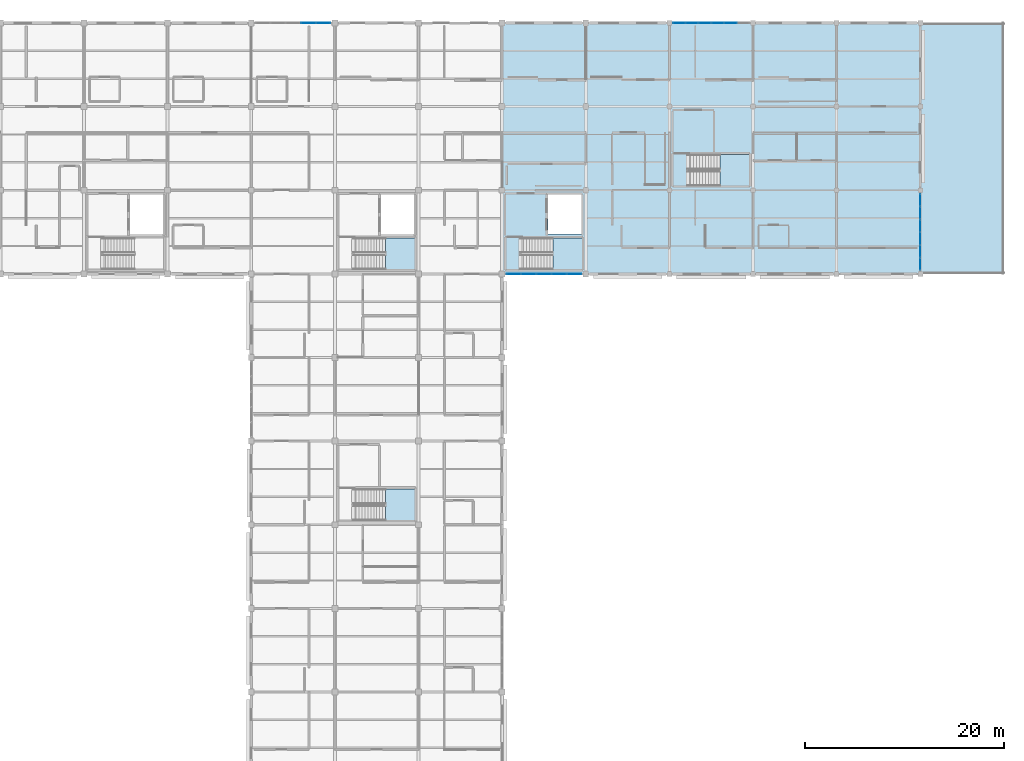
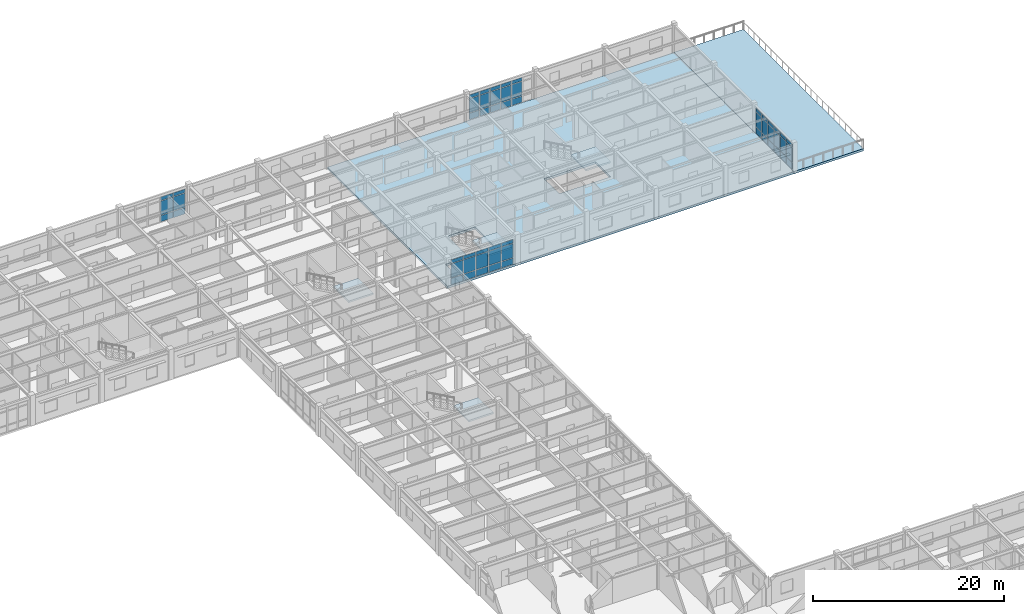
# One storey, part 41 of 70: 54 plates, 6 slabs, 8 elements without a shape of their own.
"""IFC4 building model written with IfcOpenShell, lengths in metres."""

from ifc_helpers import new_model, si_unit, direction, frame, origin, origin_2d, place, context, subcontext, project, spatial, polyline, rectangle, outline, extrude, material, layer, layer_set, type_object, element, aggregate, save


model = new_model("IFC4")

# Units and contexts
model_context = context("Model", 3, precision=1e-05, world=origin(), true_north=direction((0.0, 1.0)))
body_context = subcontext(model_context, "Body", "Model", "MODEL_VIEW")
ifc_project = project(units=[si_unit("LENGTHUNIT", "METRE"), si_unit("AREAUNIT", "SQUARE_METRE"), si_unit("VOLUMEUNIT", "CUBIC_METRE"), si_unit("PLANEANGLEUNIT", "RADIAN"), si_unit("MASSUNIT", "GRAM", prefix="KILO")], contexts=[model_context])

# Site, building, storey
site_placement = place(None, origin())
site = spatial("IfcSite", under=ifc_project, at=site_placement, CompositionType="ELEMENT")
building_placement = place(site_placement, origin())
building = spatial("IfcBuilding", under=site, at=building_placement, Name="Bramfleet General Hospital", CompositionType="ELEMENT")
storey_placement = place(building_placement, frame((0.0, 0.0, 22.5)))
storey = spatial("IfcBuildingStorey", under=building, at=storey_placement, Name="L05", CompositionType="ELEMENT", Elevation=22.5)

# Curtain wall, plates
ifc_material_1 = material(Name="Anodised aluminium and low-E triple glazing", Category="aluminium")
ifc_layer_1 = layer(ifc_material_1, 0.179931640625, Name="CWT-CW-07")
ifc_layer_set_1 = layer_set([ifc_layer_1], Name="Anodised aluminium and low-E triple glazing")
curtain_wall_type_1 = type_object("IfcCurtainWallType", Name="CWT-CW-07", PredefinedType="USERDEFINED", material=ifc_layer_set_1)
curtain_wall_1_placement = place(storey_placement, origin())
curtain_wall_1 = element("IfcCurtainWall", 1, at=curtain_wall_1_placement, inside=storey, type_object=curtain_wall_type_1, Name="L05 Curtain Wall 205", ObjectType="Unitised curtain wall", PredefinedType="USERDEFINED")
ifc_material_2 = material(Name="Low-E laminated safety glass", Category="glass")
ifc_layer_2 = layer(ifc_material_2, 0.028076171875, Name="CWP-GLZ-1")
ifc_layer_set_2 = layer_set([ifc_layer_2], Name="Low-E laminated safety glass")
plate_type_1 = type_object("IfcPlateType", Name="CWP-GLZ-1", PredefinedType="CURTAIN_PANEL", material=ifc_layer_set_2)
plate_1_placement = place(storey_placement, frame((159.60009765625, 99.811767578125, 0.06494140625), z_axis=(0.0, 0.0, 1.0), x_axis=(0.0, -1.0, 0.0)))
plate_1 = element("IfcPlate", 2, at=plate_1_placement, type_object=plate_type_1, Name="CW-07 panel 1.1", PredefinedType="CURTAIN_PANEL", context=body_context, shape_type="SweptSolid", body=[
    extrude(rectangle(XDim=1.186767578125, YDim=0.028076171875, at=origin_2d()), origin(), (0.0, 0.0, 1.0), 0.802490234375),
])
plate_2_placement = place(storey_placement, frame((159.60009765625, 99.811767578125, 0.9326171875), z_axis=(0.0, 0.0, 1.0), x_axis=(0.0, -1.0, 0.0)))
plate_2 = element("IfcPlate", 3, at=plate_2_placement, type_object=plate_type_1, Name="CW-07 panel 1.2", PredefinedType="CURTAIN_PANEL", context=body_context, shape_type="SweptSolid", body=[
    extrude(rectangle(XDim=1.186767578125, YDim=0.028076171875, at=origin_2d()), origin(), (0.0, 0.0, 1.0), 1.85498046875),
])
plate_3_placement = place(storey_placement, frame((159.60009765625, 99.811767578125, 2.8525390625), z_axis=(0.0, 0.0, 1.0), x_axis=(0.0, -1.0, 0.0)))
plate_3 = element("IfcPlate", 4, at=plate_3_placement, type_object=plate_type_1, Name="CW-07 panel 1.3", PredefinedType="CURTAIN_PANEL", context=body_context, shape_type="SweptSolid", body=[
    extrude(rectangle(XDim=1.186767578125, YDim=0.028076171875, at=origin_2d()), origin(), (0.0, 0.0, 1.0), 0.452392578125),
])
plate_4_placement = place(storey_placement, frame((159.60009765625, 98.53759765625, 0.06494140625), z_axis=(0.0, 0.0, 1.0), x_axis=(0.0, -1.0, 0.0)))
plate_4 = element("IfcPlate", 5, at=plate_4_placement, type_object=plate_type_1, Name="CW-07 panel 2.1", PredefinedType="CURTAIN_PANEL", context=body_context, shape_type="SweptSolid", body=[
    extrude(rectangle(XDim=1.2216796875, YDim=0.028076171875, at=origin_2d()), origin(), (0.0, 0.0, 1.0), 0.802490234375),
])
plate_5_placement = place(storey_placement, frame((159.60009765625, 98.53759765625, 0.9326171875), z_axis=(0.0, 0.0, 1.0), x_axis=(0.0, -1.0, 0.0)))
plate_5 = element("IfcPlate", 6, at=plate_5_placement, type_object=plate_type_1, Name="CW-07 panel 2.2", PredefinedType="CURTAIN_PANEL", context=body_context, shape_type="SweptSolid", body=[
    extrude(rectangle(XDim=1.2216796875, YDim=0.028076171875, at=origin_2d()), origin(), (0.0, 0.0, 1.0), 1.85498046875),
])
plate_6_placement = place(storey_placement, frame((159.60009765625, 98.53759765625, 2.8525390625), z_axis=(0.0, 0.0, 1.0), x_axis=(0.0, -1.0, 0.0)))
plate_6 = element("IfcPlate", 7, at=plate_6_placement, type_object=plate_type_1, Name="CW-07 panel 2.3", PredefinedType="CURTAIN_PANEL", context=body_context, shape_type="SweptSolid", body=[
    extrude(rectangle(XDim=1.2216796875, YDim=0.028076171875, at=origin_2d()), origin(), (0.0, 0.0, 1.0), 0.452392578125),
])
plate_7_placement = place(storey_placement, frame((159.60009765625, 97.245849609375, 0.06494140625), z_axis=(0.0, 0.0, 1.0), x_axis=(0.0, -1.0, 0.0)))
plate_7 = element("IfcPlate", 8, at=plate_7_placement, type_object=plate_type_1, Name="CW-07 panel 3.1", PredefinedType="CURTAIN_PANEL", context=body_context, shape_type="SweptSolid", body=[
    extrude(rectangle(XDim=1.2216796875, YDim=0.028076171875, at=origin_2d()), origin(), (0.0, 0.0, 1.0), 0.802490234375),
])
plate_8_placement = place(storey_placement, frame((159.60009765625, 97.245849609375, 0.9326171875), z_axis=(0.0, 0.0, 1.0), x_axis=(0.0, -1.0, 0.0)))
plate_8 = element("IfcPlate", 9, at=plate_8_placement, type_object=plate_type_1, Name="CW-07 panel 3.2", PredefinedType="CURTAIN_PANEL", context=body_context, shape_type="SweptSolid", body=[
    extrude(rectangle(XDim=1.2216796875, YDim=0.028076171875, at=origin_2d()), origin(), (0.0, 0.0, 1.0), 1.85498046875),
])
plate_9_placement = place(storey_placement, frame((159.60009765625, 97.245849609375, 2.8525390625), z_axis=(0.0, 0.0, 1.0), x_axis=(0.0, -1.0, 0.0)))
plate_9 = element("IfcPlate", 10, at=plate_9_placement, type_object=plate_type_1, Name="CW-07 panel 3.3", PredefinedType="CURTAIN_PANEL", context=body_context, shape_type="SweptSolid", body=[
    extrude(rectangle(XDim=1.2216796875, YDim=0.028076171875, at=origin_2d()), origin(), (0.0, 0.0, 1.0), 0.452392578125),
])
plate_10_placement = place(storey_placement, frame((159.60009765625, 95.9541015625, 0.06494140625), z_axis=(0.0, 0.0, 1.0), x_axis=(0.0, -1.0, 0.0)))
plate_10 = element("IfcPlate", 11, at=plate_10_placement, type_object=plate_type_1, Name="CW-07 panel 4.1", PredefinedType="CURTAIN_PANEL", context=body_context, shape_type="SweptSolid", body=[
    extrude(rectangle(XDim=1.2216796875, YDim=0.028076171875, at=origin_2d()), origin(), (0.0, 0.0, 1.0), 0.802490234375),
])
plate_11_placement = place(storey_placement, frame((159.60009765625, 95.9541015625, 0.9326171875), z_axis=(0.0, 0.0, 1.0), x_axis=(0.0, -1.0, 0.0)))
plate_11 = element("IfcPlate", 12, at=plate_11_placement, type_object=plate_type_1, Name="CW-07 panel 4.2", PredefinedType="CURTAIN_PANEL", context=body_context, shape_type="SweptSolid", body=[
    extrude(rectangle(XDim=1.2216796875, YDim=0.028076171875, at=origin_2d()), origin(), (0.0, 0.0, 1.0), 1.85498046875),
])
plate_12_placement = place(storey_placement, frame((159.60009765625, 95.9541015625, 2.8525390625), z_axis=(0.0, 0.0, 1.0), x_axis=(0.0, -1.0, 0.0)))
plate_12 = element("IfcPlate", 13, at=plate_12_placement, type_object=plate_type_1, Name="CW-07 panel 4.3", PredefinedType="CURTAIN_PANEL", context=body_context, shape_type="SweptSolid", body=[
    extrude(rectangle(XDim=1.2216796875, YDim=0.028076171875, at=origin_2d()), origin(), (0.0, 0.0, 1.0), 0.452392578125),
])
plate_13_placement = place(storey_placement, frame((159.60009765625, 94.66259765625, 0.06494140625), z_axis=(0.0, 0.0, 1.0), x_axis=(0.0, -1.0, 0.0)))
plate_13 = element("IfcPlate", 14, at=plate_13_placement, type_object=plate_type_1, Name="CW-07 panel 5.1", PredefinedType="CURTAIN_PANEL", context=body_context, shape_type="SweptSolid", body=[
    extrude(rectangle(XDim=1.2216796875, YDim=0.028076171875, at=origin_2d()), origin(), (0.0, 0.0, 1.0), 0.802490234375),
])
plate_14_placement = place(storey_placement, frame((159.60009765625, 94.66259765625, 0.9326171875), z_axis=(0.0, 0.0, 1.0), x_axis=(0.0, -1.0, 0.0)))
plate_14 = element("IfcPlate", 15, at=plate_14_placement, type_object=plate_type_1, Name="CW-07 panel 5.2", PredefinedType="CURTAIN_PANEL", context=body_context, shape_type="SweptSolid", body=[
    extrude(rectangle(XDim=1.2216796875, YDim=0.028076171875, at=origin_2d()), origin(), (0.0, 0.0, 1.0), 1.85498046875),
])
plate_15_placement = place(storey_placement, frame((159.60009765625, 94.66259765625, 2.8525390625), z_axis=(0.0, 0.0, 1.0), x_axis=(0.0, -1.0, 0.0)))
plate_15 = element("IfcPlate", 16, at=plate_15_placement, type_object=plate_type_1, Name="CW-07 panel 5.3", PredefinedType="CURTAIN_PANEL", context=body_context, shape_type="SweptSolid", body=[
    extrude(rectangle(XDim=1.2216796875, YDim=0.028076171875, at=origin_2d()), origin(), (0.0, 0.0, 1.0), 0.452392578125),
])
plate_16_placement = place(storey_placement, frame((159.60009765625, 93.388427734375, 0.06494140625), z_axis=(0.0, 0.0, 1.0), x_axis=(0.0, -1.0, 0.0)))
plate_16 = element("IfcPlate", 17, at=plate_16_placement, type_object=plate_type_1, Name="CW-07 panel 6.1", PredefinedType="CURTAIN_PANEL", context=body_context, shape_type="SweptSolid", body=[
    extrude(rectangle(XDim=1.186767578125, YDim=0.028076171875, at=origin_2d()), origin(), (0.0, 0.0, 1.0), 0.802490234375),
])
plate_17_placement = place(storey_placement, frame((159.60009765625, 93.388427734375, 0.9326171875), z_axis=(0.0, 0.0, 1.0), x_axis=(0.0, -1.0, 0.0)))
plate_17 = element("IfcPlate", 18, at=plate_17_placement, type_object=plate_type_1, Name="CW-07 panel 6.2", PredefinedType="CURTAIN_PANEL", context=body_context, shape_type="SweptSolid", body=[
    extrude(rectangle(XDim=1.186767578125, YDim=0.028076171875, at=origin_2d()), origin(), (0.0, 0.0, 1.0), 1.85498046875),
])
plate_18_placement = place(storey_placement, frame((159.60009765625, 93.388427734375, 2.8525390625), z_axis=(0.0, 0.0, 1.0), x_axis=(0.0, -1.0, 0.0)))
plate_18 = element("IfcPlate", 19, at=plate_18_placement, type_object=plate_type_1, Name="CW-07 panel 6.3", PredefinedType="CURTAIN_PANEL", context=body_context, shape_type="SweptSolid", body=[
    extrude(rectangle(XDim=1.186767578125, YDim=0.028076171875, at=origin_2d()), origin(), (0.0, 0.0, 1.0), 0.452392578125),
])
aggregate(curtain_wall_1, [plate_1, plate_2, plate_3, plate_4, plate_5, plate_6, plate_7, plate_8, plate_9, plate_10, plate_11, plate_12, plate_13, plate_14, plate_15, plate_16, plate_17, plate_18])

ifc_layer_3 = layer(ifc_material_1, 0.179931640625, Name="CWT-CW-08")
ifc_layer_set_3 = layer_set([ifc_layer_3], Name="Anodised aluminium and low-E triple glazing")
curtain_wall_type_2 = type_object("IfcCurtainWallType", Name="CWT-CW-08", PredefinedType="USERDEFINED", material=ifc_layer_set_3)
curtain_wall_2_placement = place(storey_placement, origin())
curtain_wall_2 = element("IfcCurtainWall", 20, at=curtain_wall_2_placement, inside=storey, type_object=curtain_wall_type_2, Name="L05 Curtain Wall 206", ObjectType="Unitised curtain wall", PredefinedType="USERDEFINED")
ifc_layer_4 = layer(ifc_material_2, 0.031982421875, Name="CWP-GLZ-2")
ifc_layer_set_4 = layer_set([ifc_layer_4], Name="Low-E laminated safety glass")
plate_type_2 = type_object("IfcPlateType", Name="CWP-GLZ-2", PredefinedType="CURTAIN_PANEL", material=ifc_layer_set_4)
plate_19_placement = place(storey_placement, frame((124.842529296875, 92.39990234375, 0.06494140625), z_axis=(0.0, 0.0, 1.0), x_axis=(-1.0, 0.0, 0.0)))
plate_19 = element("IfcPlate", 21, at=plate_19_placement, type_object=plate_type_2, Name="CW-08 panel 1.1", PredefinedType="CURTAIN_PANEL", context=body_context, shape_type="SweptSolid", body=[
    extrude(rectangle(XDim=1.425048828125, YDim=0.031982421875, at=origin_2d()), origin(), (0.0, 0.0, 1.0), 0.802490234375),
])
plate_20_placement = place(storey_placement, frame((124.842529296875, 92.39990234375, 0.9326171875), z_axis=(0.0, 0.0, 1.0), x_axis=(-1.0, 0.0, 0.0)))
plate_20 = element("IfcPlate", 22, at=plate_20_placement, type_object=plate_type_2, Name="CW-08 panel 1.2", PredefinedType="CURTAIN_PANEL", context=body_context, shape_type="SweptSolid", body=[
    extrude(rectangle(XDim=1.425048828125, YDim=0.031982421875, at=origin_2d()), origin(), (0.0, 0.0, 1.0), 1.794921875),
])
plate_21_placement = place(storey_placement, frame((124.842529296875, 92.39990234375, 2.79248046875), z_axis=(0.0, 0.0, 1.0), x_axis=(-1.0, 0.0, 0.0)))
plate_21 = element("IfcPlate", 23, at=plate_21_placement, type_object=plate_type_2, Name="CW-08 panel 1.3", PredefinedType="CURTAIN_PANEL", context=body_context, shape_type="SweptSolid", body=[
    extrude(rectangle(XDim=1.425048828125, YDim=0.031982421875, at=origin_2d()), origin(), (0.0, 0.0, 1.0), 0.452392578125),
])
plate_22_placement = place(storey_placement, frame((123.330078125, 92.39990234375, 0.06494140625), z_axis=(0.0, 0.0, 1.0), x_axis=(-1.0, 0.0, 0.0)))
plate_22 = element("IfcPlate", 24, at=plate_22_placement, type_object=plate_type_2, Name="CW-08 panel 2.1", PredefinedType="CURTAIN_PANEL", context=body_context, shape_type="SweptSolid", body=[
    extrude(rectangle(XDim=1.4599609375, YDim=0.031982421875, at=origin_2d()), origin(), (0.0, 0.0, 1.0), 0.802490234375),
])
plate_23_placement = place(storey_placement, frame((123.330078125, 92.39990234375, 0.9326171875), z_axis=(0.0, 0.0, 1.0), x_axis=(-1.0, 0.0, 0.0)))
plate_23 = element("IfcPlate", 25, at=plate_23_placement, type_object=plate_type_2, Name="CW-08 panel 2.2", PredefinedType="CURTAIN_PANEL", context=body_context, shape_type="SweptSolid", body=[
    extrude(rectangle(XDim=1.4599609375, YDim=0.031982421875, at=origin_2d()), origin(), (0.0, 0.0, 1.0), 1.794921875),
])
plate_24_placement = place(storey_placement, frame((123.330078125, 92.39990234375, 2.79248046875), z_axis=(0.0, 0.0, 1.0), x_axis=(-1.0, 0.0, 0.0)))
plate_24 = element("IfcPlate", 26, at=plate_24_placement, type_object=plate_type_2, Name="CW-08 panel 2.3", PredefinedType="CURTAIN_PANEL", context=body_context, shape_type="SweptSolid", body=[
    extrude(rectangle(XDim=1.4599609375, YDim=0.031982421875, at=origin_2d()), origin(), (0.0, 0.0, 1.0), 0.452392578125),
])
plate_25_placement = place(storey_placement, frame((121.800048828125, 92.39990234375, 0.06494140625), z_axis=(0.0, 0.0, 1.0), x_axis=(-1.0, 0.0, 0.0)))
plate_25 = element("IfcPlate", 27, at=plate_25_placement, type_object=plate_type_2, Name="CW-08 panel 3.1", PredefinedType="CURTAIN_PANEL", context=body_context, shape_type="SweptSolid", body=[
    extrude(rectangle(XDim=1.4599609375, YDim=0.031982421875, at=origin_2d()), origin(), (0.0, 0.0, 1.0), 0.802490234375),
])
plate_26_placement = place(storey_placement, frame((121.800048828125, 92.39990234375, 0.9326171875), z_axis=(0.0, 0.0, 1.0), x_axis=(-1.0, 0.0, 0.0)))
plate_26 = element("IfcPlate", 28, at=plate_26_placement, type_object=plate_type_2, Name="CW-08 panel 3.2", PredefinedType="CURTAIN_PANEL", context=body_context, shape_type="SweptSolid", body=[
    extrude(rectangle(XDim=1.4599609375, YDim=0.031982421875, at=origin_2d()), origin(), (0.0, 0.0, 1.0), 1.794921875),
])
plate_27_placement = place(storey_placement, frame((121.800048828125, 92.39990234375, 2.79248046875), z_axis=(0.0, 0.0, 1.0), x_axis=(-1.0, 0.0, 0.0)))
plate_27 = element("IfcPlate", 29, at=plate_27_placement, type_object=plate_type_2, Name="CW-08 panel 3.3", PredefinedType="CURTAIN_PANEL", context=body_context, shape_type="SweptSolid", body=[
    extrude(rectangle(XDim=1.4599609375, YDim=0.031982421875, at=origin_2d()), origin(), (0.0, 0.0, 1.0), 0.452392578125),
])
plate_28_placement = place(storey_placement, frame((120.27001953125, 92.39990234375, 0.06494140625), z_axis=(0.0, 0.0, 1.0), x_axis=(-1.0, 0.0, 0.0)))
plate_28 = element("IfcPlate", 30, at=plate_28_placement, type_object=plate_type_2, Name="CW-08 panel 4.1", PredefinedType="CURTAIN_PANEL", context=body_context, shape_type="SweptSolid", body=[
    extrude(rectangle(XDim=1.4599609375, YDim=0.031982421875, at=origin_2d()), origin(), (0.0, 0.0, 1.0), 0.802490234375),
])
plate_29_placement = place(storey_placement, frame((120.27001953125, 92.39990234375, 0.9326171875), z_axis=(0.0, 0.0, 1.0), x_axis=(-1.0, 0.0, 0.0)))
plate_29 = element("IfcPlate", 31, at=plate_29_placement, type_object=plate_type_2, Name="CW-08 panel 4.2", PredefinedType="CURTAIN_PANEL", context=body_context, shape_type="SweptSolid", body=[
    extrude(rectangle(XDim=1.4599609375, YDim=0.031982421875, at=origin_2d()), origin(), (0.0, 0.0, 1.0), 1.794921875),
])
plate_30_placement = place(storey_placement, frame((120.27001953125, 92.39990234375, 2.79248046875), z_axis=(0.0, 0.0, 1.0), x_axis=(-1.0, 0.0, 0.0)))
plate_30 = element("IfcPlate", 32, at=plate_30_placement, type_object=plate_type_2, Name="CW-08 panel 4.3", PredefinedType="CURTAIN_PANEL", context=body_context, shape_type="SweptSolid", body=[
    extrude(rectangle(XDim=1.4599609375, YDim=0.031982421875, at=origin_2d()), origin(), (0.0, 0.0, 1.0), 0.452392578125),
])
plate_31_placement = place(storey_placement, frame((118.757568359375, 92.39990234375, 0.06494140625), z_axis=(0.0, 0.0, 1.0), x_axis=(-1.0, 0.0, 0.0)))
plate_31 = element("IfcPlate", 33, at=plate_31_placement, type_object=plate_type_2, Name="CW-08 panel 5.1", PredefinedType="CURTAIN_PANEL", context=body_context, shape_type="SweptSolid", body=[
    extrude(rectangle(XDim=1.425048828125, YDim=0.031982421875, at=origin_2d()), origin(), (0.0, 0.0, 1.0), 0.802490234375),
])
plate_32_placement = place(storey_placement, frame((118.757568359375, 92.39990234375, 0.9326171875), z_axis=(0.0, 0.0, 1.0), x_axis=(-1.0, 0.0, 0.0)))
plate_32 = element("IfcPlate", 34, at=plate_32_placement, type_object=plate_type_2, Name="CW-08 panel 5.2", PredefinedType="CURTAIN_PANEL", context=body_context, shape_type="SweptSolid", body=[
    extrude(rectangle(XDim=1.425048828125, YDim=0.031982421875, at=origin_2d()), origin(), (0.0, 0.0, 1.0), 1.794921875),
])
plate_33_placement = place(storey_placement, frame((118.757568359375, 92.39990234375, 2.79248046875), z_axis=(0.0, 0.0, 1.0), x_axis=(-1.0, 0.0, 0.0)))
plate_33 = element("IfcPlate", 35, at=plate_33_placement, type_object=plate_type_2, Name="CW-08 panel 5.3", PredefinedType="CURTAIN_PANEL", context=body_context, shape_type="SweptSolid", body=[
    extrude(rectangle(XDim=1.425048828125, YDim=0.031982421875, at=origin_2d()), origin(), (0.0, 0.0, 1.0), 0.452392578125),
])
aggregate(curtain_wall_2, [plate_19, plate_20, plate_21, plate_22, plate_23, plate_24, plate_25, plate_26, plate_27, plate_28, plate_29, plate_30, plate_31, plate_32, plate_33])

ifc_layer_5 = layer(ifc_material_1, 0.179931640625, Name="CWT-CW-05")
ifc_layer_set_5 = layer_set([ifc_layer_5], Name="Anodised aluminium and low-E triple glazing")
curtain_wall_type_3 = type_object("IfcCurtainWallType", Name="CWT-CW-05", PredefinedType="USERDEFINED", material=ifc_layer_set_5)
curtain_wall_3_placement = place(storey_placement, origin())
curtain_wall_3 = element("IfcCurtainWall", 36, at=curtain_wall_3_placement, inside=storey, type_object=curtain_wall_type_3, Name="L05 Curtain Wall 203", ObjectType="Unitised curtain wall", PredefinedType="USERDEFINED")
ifc_layer_6 = layer(ifc_material_2, 0.035888671875, Name="CWP-GLZ-3")
ifc_layer_set_6 = layer_set([ifc_layer_6], Name="Low-E laminated safety glass")
plate_type_3 = type_object("IfcPlateType", Name="CWP-GLZ-3", PredefinedType="CURTAIN_PANEL", material=ifc_layer_set_6)
plate_34_placement = place(storey_placement, frame((98.1298828125, 117.60009765625, 0.06494140625), z_axis=(0.0, 0.0, 1.0), x_axis=(1.0, 0.0, 0.0)))
plate_34 = element("IfcPlate", 37, at=plate_34_placement, type_object=plate_type_3, Name="CW-05 panel 4.1", PredefinedType="CURTAIN_PANEL", context=body_context, shape_type="SweptSolid", body=[
    extrude(rectangle(XDim=1.4599609375, YDim=0.035888671875, at=origin_2d()), origin(), (0.0, 0.0, 1.0), 0.802490234375),
])
plate_35_placement = place(storey_placement, frame((98.1298828125, 117.60009765625, 0.9326171875), z_axis=(0.0, 0.0, 1.0), x_axis=(1.0, 0.0, 0.0)))
plate_35 = element("IfcPlate", 38, at=plate_35_placement, type_object=plate_type_3, Name="CW-05 panel 4.2", PredefinedType="CURTAIN_PANEL", context=body_context, shape_type="SweptSolid", body=[
    extrude(rectangle(XDim=1.4599609375, YDim=0.035888671875, at=origin_2d()), origin(), (0.0, 0.0, 1.0), 1.794921875),
])
plate_36_placement = place(storey_placement, frame((98.1298828125, 117.60009765625, 2.79248046875), z_axis=(0.0, 0.0, 1.0), x_axis=(1.0, 0.0, 0.0)))
plate_36 = element("IfcPlate", 39, at=plate_36_placement, type_object=plate_type_3, Name="CW-05 panel 4.3", PredefinedType="CURTAIN_PANEL", context=body_context, shape_type="SweptSolid", body=[
    extrude(rectangle(XDim=1.4599609375, YDim=0.035888671875, at=origin_2d()), origin(), (0.0, 0.0, 1.0), 0.452392578125),
])
plate_37_placement = place(storey_placement, frame((99.642578125, 117.60009765625, 0.06494140625), z_axis=(0.0, 0.0, 1.0), x_axis=(1.0, 0.0, 0.0)))
plate_37 = element("IfcPlate", 40, at=plate_37_placement, type_object=plate_type_3, Name="CW-05 panel 5.1", PredefinedType="CURTAIN_PANEL", context=body_context, shape_type="SweptSolid", body=[
    extrude(rectangle(XDim=1.425048828125, YDim=0.035888671875, at=origin_2d()), origin(), (0.0, 0.0, 1.0), 0.802490234375),
])
plate_38_placement = place(storey_placement, frame((99.642578125, 117.60009765625, 0.9326171875), z_axis=(0.0, 0.0, 1.0), x_axis=(1.0, 0.0, 0.0)))
plate_38 = element("IfcPlate", 41, at=plate_38_placement, type_object=plate_type_3, Name="CW-05 panel 5.2", PredefinedType="CURTAIN_PANEL", context=body_context, shape_type="SweptSolid", body=[
    extrude(rectangle(XDim=1.425048828125, YDim=0.035888671875, at=origin_2d()), origin(), (0.0, 0.0, 1.0), 1.794921875),
])
plate_39_placement = place(storey_placement, frame((99.642578125, 117.60009765625, 2.79248046875), z_axis=(0.0, 0.0, 1.0), x_axis=(1.0, 0.0, 0.0)))
plate_39 = element("IfcPlate", 42, at=plate_39_placement, type_object=plate_type_3, Name="CW-05 panel 5.3", PredefinedType="CURTAIN_PANEL", context=body_context, shape_type="SweptSolid", body=[
    extrude(rectangle(XDim=1.425048828125, YDim=0.035888671875, at=origin_2d()), origin(), (0.0, 0.0, 1.0), 0.452392578125),
])
aggregate(curtain_wall_3, [plate_34, plate_35, plate_36, plate_37, plate_38, plate_39])

ifc_layer_7 = layer(ifc_material_1, 0.179931640625, Name="CWT-CW-06")
ifc_layer_set_7 = layer_set([ifc_layer_7], Name="Anodised aluminium and low-E triple glazing")
curtain_wall_type_4 = type_object("IfcCurtainWallType", Name="CWT-CW-06", PredefinedType="USERDEFINED", material=ifc_layer_set_7)
curtain_wall_4_placement = place(storey_placement, origin())
curtain_wall_4 = element("IfcCurtainWall", 43, at=curtain_wall_4_placement, inside=storey, type_object=curtain_wall_type_4, Name="L05 Curtain Wall 204", ObjectType="Unitised curtain wall", PredefinedType="USERDEFINED")
ifc_layer_8 = layer(ifc_material_2, 0.0419921875, Name="CWP-GLZ-4")
ifc_layer_set_8 = layer_set([ifc_layer_8], Name="Low-E laminated safety glass")
plate_type_4 = type_object("IfcPlateType", Name="CWP-GLZ-4", PredefinedType="CURTAIN_PANEL", material=ifc_layer_set_8)
plate_40_placement = place(storey_placement, frame((135.388427734375, 117.60009765625, 0.06494140625), z_axis=(0.0, 0.0, 1.0), x_axis=(1.0, 0.0, 0.0)))
plate_40 = element("IfcPlate", 44, at=plate_40_placement, type_object=plate_type_4, Name="CW-06 panel 1.1", PredefinedType="CURTAIN_PANEL", context=body_context, shape_type="SweptSolid", body=[
    extrude(rectangle(XDim=1.186767578125, YDim=0.0419921875, at=origin_2d()), origin(), (0.0, 0.0, 1.0), 0.802490234375),
])
plate_41_placement = place(storey_placement, frame((135.388427734375, 117.60009765625, 0.9326171875), z_axis=(0.0, 0.0, 1.0), x_axis=(1.0, 0.0, 0.0)))
plate_41 = element("IfcPlate", 45, at=plate_41_placement, type_object=plate_type_4, Name="CW-06 panel 1.2", PredefinedType="CURTAIN_PANEL", context=body_context, shape_type="SweptSolid", body=[
    extrude(rectangle(XDim=1.186767578125, YDim=0.0419921875, at=origin_2d()), origin(), (0.0, 0.0, 1.0), 1.794921875),
])
plate_42_placement = place(storey_placement, frame((135.388427734375, 117.60009765625, 2.79248046875), z_axis=(0.0, 0.0, 1.0), x_axis=(1.0, 0.0, 0.0)))
plate_42 = element("IfcPlate", 46, at=plate_42_placement, type_object=plate_type_4, Name="CW-06 panel 1.3", PredefinedType="CURTAIN_PANEL", context=body_context, shape_type="SweptSolid", body=[
    extrude(rectangle(XDim=1.186767578125, YDim=0.0419921875, at=origin_2d()), origin(), (0.0, 0.0, 1.0), 0.452392578125),
])
plate_43_placement = place(storey_placement, frame((136.66259765625, 117.60009765625, 0.06494140625), z_axis=(0.0, 0.0, 1.0), x_axis=(1.0, 0.0, 0.0)))
plate_43 = element("IfcPlate", 47, at=plate_43_placement, type_object=plate_type_4, Name="CW-06 panel 2.1", PredefinedType="CURTAIN_PANEL", context=body_context, shape_type="SweptSolid", body=[
    extrude(rectangle(XDim=1.2216796875, YDim=0.0419921875, at=origin_2d()), origin(), (0.0, 0.0, 1.0), 0.802490234375),
])
plate_44_placement = place(storey_placement, frame((136.66259765625, 117.60009765625, 0.9326171875), z_axis=(0.0, 0.0, 1.0), x_axis=(1.0, 0.0, 0.0)))
plate_44 = element("IfcPlate", 48, at=plate_44_placement, type_object=plate_type_4, Name="CW-06 panel 2.2", PredefinedType="CURTAIN_PANEL", context=body_context, shape_type="SweptSolid", body=[
    extrude(rectangle(XDim=1.2216796875, YDim=0.0419921875, at=origin_2d()), origin(), (0.0, 0.0, 1.0), 1.794921875),
])
plate_45_placement = place(storey_placement, frame((136.66259765625, 117.60009765625, 2.79248046875), z_axis=(0.0, 0.0, 1.0), x_axis=(1.0, 0.0, 0.0)))
plate_45 = element("IfcPlate", 49, at=plate_45_placement, type_object=plate_type_4, Name="CW-06 panel 2.3", PredefinedType="CURTAIN_PANEL", context=body_context, shape_type="SweptSolid", body=[
    extrude(rectangle(XDim=1.2216796875, YDim=0.0419921875, at=origin_2d()), origin(), (0.0, 0.0, 1.0), 0.452392578125),
])
plate_46_placement = place(storey_placement, frame((137.9541015625, 117.60009765625, 0.06494140625), z_axis=(0.0, 0.0, 1.0), x_axis=(1.0, 0.0, 0.0)))
plate_46 = element("IfcPlate", 50, at=plate_46_placement, type_object=plate_type_4, Name="CW-06 panel 3.1", PredefinedType="CURTAIN_PANEL", context=body_context, shape_type="SweptSolid", body=[
    extrude(rectangle(XDim=1.2216796875, YDim=0.0419921875, at=origin_2d()), origin(), (0.0, 0.0, 1.0), 0.802490234375),
])
plate_47_placement = place(storey_placement, frame((137.9541015625, 117.60009765625, 0.9326171875), z_axis=(0.0, 0.0, 1.0), x_axis=(1.0, 0.0, 0.0)))
plate_47 = element("IfcPlate", 51, at=plate_47_placement, type_object=plate_type_4, Name="CW-06 panel 3.2", PredefinedType="CURTAIN_PANEL", context=body_context, shape_type="SweptSolid", body=[
    extrude(rectangle(XDim=1.2216796875, YDim=0.0419921875, at=origin_2d()), origin(), (0.0, 0.0, 1.0), 1.794921875),
])
plate_48_placement = place(storey_placement, frame((137.9541015625, 117.60009765625, 2.79248046875), z_axis=(0.0, 0.0, 1.0), x_axis=(1.0, 0.0, 0.0)))
plate_48 = element("IfcPlate", 52, at=plate_48_placement, type_object=plate_type_4, Name="CW-06 panel 3.3", PredefinedType="CURTAIN_PANEL", context=body_context, shape_type="SweptSolid", body=[
    extrude(rectangle(XDim=1.2216796875, YDim=0.0419921875, at=origin_2d()), origin(), (0.0, 0.0, 1.0), 0.452392578125),
])
plate_49_placement = place(storey_placement, frame((139.245849609375, 117.60009765625, 0.06494140625), z_axis=(0.0, 0.0, 1.0), x_axis=(1.0, 0.0, 0.0)))
plate_49 = element("IfcPlate", 53, at=plate_49_placement, type_object=plate_type_4, Name="CW-06 panel 4.1", PredefinedType="CURTAIN_PANEL", context=body_context, shape_type="SweptSolid", body=[
    extrude(rectangle(XDim=1.2216796875, YDim=0.0419921875, at=origin_2d()), origin(), (0.0, 0.0, 1.0), 0.802490234375),
])
plate_50_placement = place(storey_placement, frame((139.245849609375, 117.60009765625, 0.9326171875), z_axis=(0.0, 0.0, 1.0), x_axis=(1.0, 0.0, 0.0)))
plate_50 = element("IfcPlate", 54, at=plate_50_placement, type_object=plate_type_4, Name="CW-06 panel 4.2", PredefinedType="CURTAIN_PANEL", context=body_context, shape_type="SweptSolid", body=[
    extrude(rectangle(XDim=1.2216796875, YDim=0.0419921875, at=origin_2d()), origin(), (0.0, 0.0, 1.0), 1.794921875),
])
plate_51_placement = place(storey_placement, frame((139.245849609375, 117.60009765625, 2.79248046875), z_axis=(0.0, 0.0, 1.0), x_axis=(1.0, 0.0, 0.0)))
plate_51 = element("IfcPlate", 55, at=plate_51_placement, type_object=plate_type_4, Name="CW-06 panel 4.3", PredefinedType="CURTAIN_PANEL", context=body_context, shape_type="SweptSolid", body=[
    extrude(rectangle(XDim=1.2216796875, YDim=0.0419921875, at=origin_2d()), origin(), (0.0, 0.0, 1.0), 0.452392578125),
])
plate_52_placement = place(storey_placement, frame((140.53759765625, 117.60009765625, 0.06494140625), z_axis=(0.0, 0.0, 1.0), x_axis=(1.0, 0.0, 0.0)))
plate_52 = element("IfcPlate", 56, at=plate_52_placement, type_object=plate_type_4, Name="CW-06 panel 5.1", PredefinedType="CURTAIN_PANEL", context=body_context, shape_type="SweptSolid", body=[
    extrude(rectangle(XDim=1.2216796875, YDim=0.0419921875, at=origin_2d()), origin(), (0.0, 0.0, 1.0), 0.802490234375),
])
plate_53_placement = place(storey_placement, frame((140.53759765625, 117.60009765625, 0.9326171875), z_axis=(0.0, 0.0, 1.0), x_axis=(1.0, 0.0, 0.0)))
plate_53 = element("IfcPlate", 57, at=plate_53_placement, type_object=plate_type_4, Name="CW-06 panel 5.2", PredefinedType="CURTAIN_PANEL", context=body_context, shape_type="SweptSolid", body=[
    extrude(rectangle(XDim=1.2216796875, YDim=0.0419921875, at=origin_2d()), origin(), (0.0, 0.0, 1.0), 1.794921875),
])
plate_54_placement = place(storey_placement, frame((140.53759765625, 117.60009765625, 2.79248046875), z_axis=(0.0, 0.0, 1.0), x_axis=(1.0, 0.0, 0.0)))
plate_54 = element("IfcPlate", 58, at=plate_54_placement, type_object=plate_type_4, Name="CW-06 panel 5.3", PredefinedType="CURTAIN_PANEL", context=body_context, shape_type="SweptSolid", body=[
    extrude(rectangle(XDim=1.2216796875, YDim=0.0419921875, at=origin_2d()), origin(), (0.0, 0.0, 1.0), 0.452392578125),
])
aggregate(curtain_wall_4, [plate_40, plate_41, plate_42, plate_43, plate_44, plate_45, plate_46, plate_47, plate_48, plate_49, plate_50, plate_51, plate_52, plate_53, plate_54])

# Slab
ifc_material_3 = material(Name="Concrete C35/45", Category="concrete")
ifc_layer_9 = layer(ifc_material_3, 0.280029296875, Name="SL-FLR-280")
ifc_layer_set_9 = layer_set([ifc_layer_9], Name="Concrete C35/45")
slab_type_1 = type_object("IfcSlabType", Name="SL-FLR-280", PredefinedType="FLOOR", material=ifc_layer_set_9)
slab_1_placement = place(storey_placement, frame((0.0, 0.0, -0.280029296875)))
element("IfcSlab", 59, at=slab_1_placement, inside=storey, type_object=slab_type_1, Name="L05 Structural Floor Slab (EAST)", PredefinedType="FLOOR", context=body_context, shape_type="SweptSolid", body=[
    extrude(outline(polyline([(126.0, 117.60009765625), (134.39990234375, 117.60009765625), (142.800048828125, 117.60009765625), (151.199951171875, 117.60009765625), (159.60009765625, 117.60009765625), (159.60009765625, 109.199951171875), (159.60009765625, 100.800048828125), (159.60009765625, 92.39990234375), (151.199951171875, 92.39990234375), (142.800048828125, 92.39990234375), (134.39990234375, 92.39990234375), (126.0, 92.39990234375), (117.60009765625, 92.39990234375), (117.60009765625, 117.60009765625), (126.0, 117.60009765625)]), holes=[polyline([(119.43994140625, 92.820068359375), (125.659912109375, 92.820068359375), (125.659912109375, 95.97998046875), (119.43994140625, 95.97998046875), (119.43994140625, 92.820068359375)]), polyline([(122.219970703125, 96.39990234375), (125.550048828125, 96.39990234375), (125.550048828125, 100.35009765625), (122.219970703125, 100.35009765625), (122.219970703125, 96.39990234375)]), polyline([(136.239990234375, 101.219970703125), (142.4599609375, 101.219970703125), (142.4599609375, 104.3798828125), (136.239990234375, 104.3798828125), (136.239990234375, 101.219970703125)])]), origin(), (0.0, 0.0, 1.0), 0.280029296875),
])

# Stair, slab
stair_type = type_object("IfcStairType", Name="STR-T4", PredefinedType="HALF_TURN_STAIR", material=ifc_material_3)
stair_1_placement = place(storey_placement, origin())
stair_1 = element("IfcStair", 60, at=stair_1_placement, inside=storey, type_object=stair_type, Name="L05 Core C4 (Central Spine & Helipad Trauma) Protected Escape Stair", PredefinedType="HALF_TURN_STAIR")
ifc_layer_10 = layer(ifc_material_3, 0.199951171875, Name="SL-LND-200")
ifc_layer_set_10 = layer_set([ifc_layer_10], Name="Concrete C35/45")
slab_type_2 = type_object("IfcSlabType", Name="SL-LND-200", PredefinedType="LANDING", material=ifc_layer_set_10)
slab_2_placement = place(storey_placement, frame((0.0, 0.0, 1.75)))
slab_2 = element("IfcSlab", 61, at=slab_2_placement, type_object=slab_type_2, Name="ST-C4 landing 1", PredefinedType="LANDING", context=body_context, shape_type="SweptSolid", body=[
    extrude(outline(polyline([(105.885009765625, 92.820068359375), (108.860107421875, 92.820068359375), (108.860107421875, 95.97998046875), (105.885009765625, 95.97998046875), (105.885009765625, 92.820068359375)])), origin(), (0.0, 0.0, 1.0), 0.199951171875),
])
aggregate(stair_1, [slab_2])

stair_2_placement = place(storey_placement, origin())
stair_2 = element("IfcStair", 62, at=stair_2_placement, inside=storey, type_object=stair_type, Name="L05 Core C6 (North-East Ward & Helipad) Protected Escape Stair", PredefinedType="HALF_TURN_STAIR")
slab_3_placement = place(storey_placement, frame((0.0, 0.0, 1.75)))
slab_3 = element("IfcSlab", 63, at=slab_3_placement, type_object=slab_type_2, Name="ST-C6 landing 1", PredefinedType="LANDING", context=body_context, shape_type="SweptSolid", body=[
    extrude(outline(polyline([(122.68505859375, 92.820068359375), (125.659912109375, 92.820068359375), (125.659912109375, 95.97998046875), (122.68505859375, 95.97998046875), (122.68505859375, 92.820068359375)])), origin(), (0.0, 0.0, 1.0), 0.199951171875),
])
aggregate(stair_2, [slab_3])

stair_3_placement = place(storey_placement, origin())
stair_3 = element("IfcStair", 64, at=stair_3_placement, inside=storey, type_object=stair_type, Name="L05 Core C9 (North-East Ward & Diagnostic Escape) Protected Escape Stair", PredefinedType="HALF_TURN_STAIR")
slab_4_placement = place(storey_placement, frame((0.0, 0.0, 1.75)))
slab_4 = element("IfcSlab", 65, at=slab_4_placement, type_object=slab_type_2, Name="ST-C9 landing 1", PredefinedType="LANDING", context=body_context, shape_type="SweptSolid", body=[
    extrude(outline(polyline([(139.485107421875, 101.219970703125), (142.4599609375, 101.219970703125), (142.4599609375, 104.3798828125), (139.485107421875, 104.3798828125), (139.485107421875, 101.219970703125)])), origin(), (0.0, 0.0, 1.0), 0.199951171875),
])
aggregate(stair_3, [slab_4])

stair_4_placement = place(storey_placement, origin())
stair_4 = element("IfcStair", 66, at=stair_4_placement, inside=storey, type_object=stair_type, Name="L05 Core C11 (Central Spine Escape) Protected Escape Stair", PredefinedType="HALF_TURN_STAIR")
slab_5_placement = place(storey_placement, frame((0.0, 0.0, 1.75)))
slab_5 = element("IfcSlab", 67, at=slab_5_placement, type_object=slab_type_2, Name="ST-C11 landing 1", PredefinedType="LANDING", context=body_context, shape_type="SweptSolid", body=[
    extrude(outline(polyline([(105.885009765625, 67.6201171875), (108.860107421875, 67.6201171875), (108.860107421875, 70.780029296875), (105.885009765625, 70.780029296875), (105.885009765625, 67.6201171875)])), origin(), (0.0, 0.0, 1.0), 0.199951171875),
])
aggregate(stair_4, [slab_5])

# Slab
ifc_layer_11 = layer(ifc_material_3, 0.2900390625, Name="SL-TER-290")
ifc_layer_set_11 = layer_set([ifc_layer_11], Name="Concrete C35/45")
slab_type_3 = type_object("IfcSlabType", Name="SL-TER-290", PredefinedType="FLOOR", material=ifc_layer_set_11)
slab_6_placement = place(storey_placement, frame((0.0, 0.0, -0.2900390625)))
element("IfcSlab", 68, at=slab_6_placement, inside=storey, type_object=slab_type_3, Name="L05 Setback Ward Terrace 2", PredefinedType="FLOOR", context=body_context, shape_type="SweptSolid", body=[
    extrude(outline(polyline([(168.0, 117.60009765625), (168.0, 109.199951171875), (168.0, 100.800048828125), (168.0, 92.39990234375), (159.60009765625, 92.39990234375), (159.60009765625, 100.800048828125), (159.60009765625, 109.199951171875), (159.60009765625, 117.60009765625), (168.0, 117.60009765625)])), origin(), (0.0, 0.0, 1.0), 0.2900390625),
])

save(model, "model.ifc")
